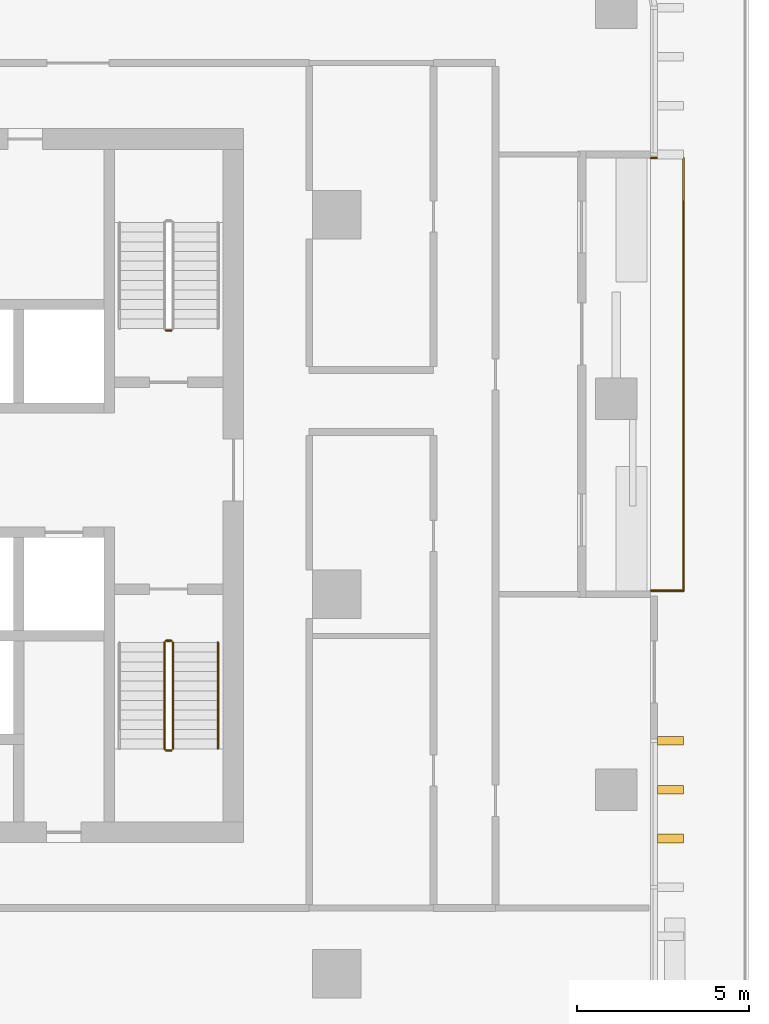
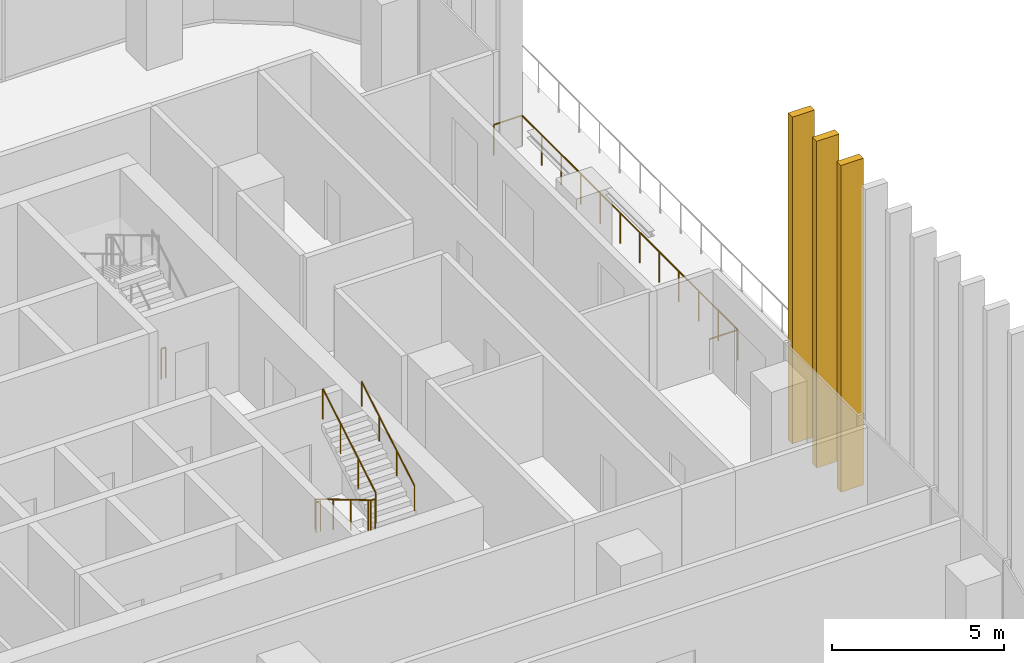
# One storey, part 15 of 16: 6 railings, 3 shading devices.
"""IFC4 building model written with IfcOpenShell, lengths in metres."""

from ifc_helpers import new_model, si_unit, direction, frame, origin, origin_2d, place, context, subcontext, project, spatial, rectangle, circle, extrude, material, type_object, element, save


model = new_model("IFC4")

# Units and contexts
model_context = context("Model", 3, precision=1e-05, world=origin(), true_north=direction((0.0, 1.0)))
body_context = subcontext(model_context, "Body", "Model", "MODEL_VIEW")
ifc_project = project(units=[si_unit("LENGTHUNIT", "METRE"), si_unit("AREAUNIT", "SQUARE_METRE"), si_unit("VOLUMEUNIT", "CUBIC_METRE"), si_unit("PLANEANGLEUNIT", "RADIAN"), si_unit("MASSUNIT", "GRAM", prefix="KILO")], contexts=[model_context])

# Site, building, storey
site_placement = place(None, origin())
site = spatial("IfcSite", under=ifc_project, at=site_placement, CompositionType="ELEMENT")
building_placement = place(site_placement, origin())
building = spatial("IfcBuilding", under=site, at=building_placement, Name="Mopane Tessera Tower", CompositionType="ELEMENT")
storey_placement = place(building_placement, frame((0.0, 0.0, 157.0)))
storey = spatial("IfcBuildingStorey", under=building, at=storey_placement, Name="L31", CompositionType="ELEMENT", Elevation=157.0)

# Shading devices
ifc_material_1 = material(Name="Glazed ceramic tile")
shading_device_type = type_object("IfcShadingDeviceType", Name="Ceramic tile fin 750 x 250 mm", PredefinedType="USERDEFINED", material=ifc_material_1)
for number, where, z_axis, x_axis, name in (
    (1, (26.77490234375, -7.083251953125, 0.0), (0.0, 0.0, 1.0), (0.0, 1.0, 0.0), "e:fin:L31:E:2:1"),
    (2, (26.77490234375, -5.666748046875, 0.0), (0.0, 0.0, 1.0), (0.0, 1.0, 0.0), "e:fin:L31:E:2:2"),
    (3, (26.77490234375, -4.25, 0.0), (0.0, 0.0, 1.0), (0.0, 1.0, 0.0), "e:fin:L31:E:2:3"),
):
    element("IfcShadingDevice", number, at=place(storey_placement, frame(where, z_axis=z_axis, x_axis=x_axis)), inside=storey, type_object=shading_device_type, Name=name, ObjectType="FIN", PredefinedType="USERDEFINED", context=body_context, shape_type="SweptSolid", body=[
        extrude(rectangle(XDim=0.25, YDim=0.75, at=origin_2d()), origin(), (0.0, 0.0, 1.0), 11.60009765625),
    ])

# Railings
ifc_material_2 = material(Name="Powder-coated steel balustrade", Category="steel")
railing_type_1 = type_object("IfcRailingType", Name="Escape stair guard 1100 mm", PredefinedType="GUARDRAIL", material=ifc_material_2)
railing_1_placement = place(storey_placement, frame((12.10009765625, -1.39990234375, 0.166748046875)))
element("IfcRailing", 4, at=railing_1_placement, inside=storey, type_object=railing_type_1, Name="L31 ST3 stair guard 1", PredefinedType="GUARDRAIL", context=body_context, shape_type="SweptSolid", body=[
    extrude(circle(Radius=0.02392578125, at=origin_2d()), frame((0.0, 0.0, 1.076171875), z_axis=(0.0, -0.859308565015, 0.511457515432), x_axis=(1.0, 0.0, 0.0)), (0.0, 0.0, 1.0), 3.58447265625),
    extrude(circle(Radius=0.02392578125, at=origin_2d()), frame((0.0, -3.080078125, 2.9091796875), z_axis=(0.705375805398, -0.708833529934, 0.0), x_axis=(0.708833529934, 0.705375805398, 0.0)), (0.0, 0.0, 1.0), 0.070556640625),
    extrude(circle(Radius=0.02392578125, at=origin_2d()), frame((0.0498046875, -3.130126953125, 2.9091796875), z_axis=(1.0, 0.0, 0.0), x_axis=(0.0, 1.0, 0.0)), (0.0, 0.0, 1.0), 0.150146484375),
    extrude(circle(Radius=0.02099609375, at=origin_2d()), origin(), (0.0, 0.0, 1.0), 1.052001953125),
    extrude(circle(Radius=0.02099609375, at=origin_2d()), frame((0.0, -1.026611328125, 0.611083984375)), (0.0, 0.0, 1.0), 1.052001953125),
    extrude(circle(Radius=0.02099609375, at=origin_2d()), frame((0.0, -2.053466796875, 1.22216796875)), (0.0, 0.0, 1.0), 1.052001953125),
    extrude(circle(Radius=0.02099609375, at=origin_2d()), frame((0.0, -3.080078125, 1.833251953125)), (0.0, 0.0, 1.0), 1.052001953125),
    extrude(circle(Radius=0.02099609375, at=origin_2d()), frame((0.0498046875, -3.130126953125, 1.833251953125)), (0.0, 0.0, 1.0), 1.052001953125),
    extrude(circle(Radius=0.02099609375, at=origin_2d()), frame((0.199951171875, -3.130126953125, 1.833251953125)), (0.0, 0.0, 1.0), 1.052001953125),
])
railing_2_placement = place(storey_placement, frame((12.35009765625, -4.47998046875, 2.166748046875)))
element("IfcRailing", 5, at=railing_2_placement, inside=storey, type_object=railing_type_1, Name="L31 ST3 stair guard 2", PredefinedType="GUARDRAIL", context=body_context, shape_type="SweptSolid", body=[
    extrude(circle(Radius=0.02392578125, at=origin_2d()), frame((0.0, 0.0, 1.076171875), z_axis=(0.0, 0.859308565015, 0.511457515432), x_axis=(-1.0, 0.0, 0.0)), (0.0, 0.0, 1.0), 3.58447265625),
    extrude(circle(Radius=0.02099609375, at=origin_2d()), origin(), (0.0, 0.0, 1.0), 1.052001953125),
    extrude(circle(Radius=0.02099609375, at=origin_2d()), frame((0.0, 1.026611328125, 0.611083984375)), (0.0, 0.0, 1.0), 1.052001953125),
    extrude(circle(Radius=0.02099609375, at=origin_2d()), frame((0.0, 2.053466796875, 1.22216796875)), (0.0, 0.0, 1.0), 1.052001953125),
    extrude(circle(Radius=0.02099609375, at=origin_2d()), frame((0.0, 3.080078125, 1.833251953125)), (0.0, 0.0, 1.0), 1.052001953125),
])
railing_3_placement = place(storey_placement, frame((12.14990234375, -1.35009765625, 0.0)))
element("IfcRailing", 6, at=railing_3_placement, inside=storey, type_object=railing_type_1, Name="L31 ST3 stair guard 3", PredefinedType="GUARDRAIL", context=body_context, shape_type="SweptSolid", body=[
    extrude(circle(Radius=0.02392578125, at=origin_2d()), frame((0.0, 0.0, 1.076171875), z_axis=(1.0, 0.0, 0.0), x_axis=(0.0, 1.0, 0.0)), (0.0, 0.0, 1.0), 0.150146484375),
    extrude(circle(Radius=0.02099609375, at=origin_2d()), origin(), (0.0, 0.0, 1.0), 1.052001953125),
    extrude(circle(Radius=0.02099609375, at=origin_2d()), frame((0.150146484375, 0.0, 0.0)), (0.0, 0.0, 1.0), 1.052001953125),
])
railing_4_placement = place(storey_placement, frame((12.300048828125, 7.64990234375, 0.0)))
element("IfcRailing", 7, at=railing_4_placement, inside=storey, type_object=railing_type_1, Name="L31 ST4 stair guard 3", PredefinedType="GUARDRAIL", context=body_context, shape_type="SweptSolid", body=[
    extrude(circle(Radius=0.02392578125, at=origin_2d()), frame((0.0, 0.0, 1.076171875), z_axis=(-1.0, 0.0, 0.0), x_axis=(0.0, -1.0, 0.0)), (0.0, 0.0, 1.0), 0.150146484375),
    extrude(circle(Radius=0.02099609375, at=origin_2d()), origin(), (0.0, 0.0, 1.0), 1.052001953125),
    extrude(circle(Radius=0.02099609375, at=origin_2d()), frame((-0.150146484375, 0.0, 0.0)), (0.0, 0.0, 1.0), 1.052001953125),
])
ifc_material_3 = material(Name="Powder-coated steel balustrade", Category="steel")
railing_type_2 = type_object("IfcRailingType", Name="Escape stair handrail 900 mm", PredefinedType="HANDRAIL", material=ifc_material_3)
railing_5_placement = place(storey_placement, frame((13.64990234375, -4.47998046875, 2.166748046875)))
element("IfcRailing", 8, at=railing_5_placement, inside=storey, type_object=railing_type_2, Name="L31 ST3 stair handrail 2", PredefinedType="HANDRAIL", context=body_context, shape_type="SweptSolid", body=[
    extrude(circle(Radius=0.02392578125, at=origin_2d()), frame((0.0, 0.0, 0.8759765625), z_axis=(0.0, 0.859308565015, 0.511457515432), x_axis=(-1.0, 0.0, 0.0)), (0.0, 0.0, 1.0), 3.58447265625),
    extrude(circle(Radius=0.02099609375, at=origin_2d()), origin(), (0.0, 0.0, 1.0), 0.851806640625),
    extrude(circle(Radius=0.02099609375, at=origin_2d()), frame((0.0, 1.026611328125, 0.611083984375)), (0.0, 0.0, 1.0), 0.851806640625),
    extrude(circle(Radius=0.02099609375, at=origin_2d()), frame((0.0, 2.053466796875, 1.22216796875)), (0.0, 0.0, 1.0), 0.851806640625),
    extrude(circle(Radius=0.02099609375, at=origin_2d()), frame((0.0, 3.080078125, 1.833251953125)), (0.0, 0.0, 1.0), 0.851806640625),
])
ifc_material_4 = material(Name="Stainless steel S316", Category="steel")
railing_type_3 = type_object("IfcRailingType", Name="Terrace guard 1100", PredefinedType="GUARDRAIL", material=ifc_material_4)
railing_6_placement = place(storey_placement, frame((26.199951171875, 0.10009765625, 0.0)))
element("IfcRailing", 9, at=railing_6_placement, inside=storey, type_object=railing_type_3, Name="e:nw:L31:N3:guard", PredefinedType="GUARDRAIL", context=body_context, shape_type="SweptSolid", body=[
    extrude(circle(Radius=0.02392578125, at=origin_2d()), frame((0.0, 0.0, 1.076171875), z_axis=(1.0, 0.0, 0.0), x_axis=(0.0, 1.0, 0.0)), (0.0, 0.0, 1.0), 0.949951171875),
    extrude(circle(Radius=0.02392578125, at=origin_2d()), frame((0.949951171875, 0.0, 1.076171875), z_axis=(0.0, 1.0, 0.0), x_axis=(-1.0, 0.0, 0.0)), (0.0, 0.0, 1.0), 12.5498046875),
    extrude(circle(Radius=0.02392578125, at=origin_2d()), frame((0.949951171875, 12.5498046875, 1.076171875), z_axis=(-1.0, 0.0, 0.0), x_axis=(0.0, -1.0, 0.0)), (0.0, 0.0, 1.0), 0.949951171875),
    extrude(circle(Radius=0.02099609375, at=origin_2d()), origin(), (0.0, 0.0, 1.0), 1.052001953125),
    extrude(circle(Radius=0.02099609375, at=origin_2d()), frame((0.949951171875, 0.0, 0.0)), (0.0, 0.0, 1.0), 1.052001953125),
    extrude(circle(Radius=0.02099609375, at=origin_2d()), frame((0.949951171875, 1.140869140625, 0.0)), (0.0, 0.0, 1.0), 1.052001953125),
    extrude(circle(Radius=0.02099609375, at=origin_2d()), frame((0.949951171875, 2.28173828125, 0.0)), (0.0, 0.0, 1.0), 1.052001953125),
    extrude(circle(Radius=0.02099609375, at=origin_2d()), frame((0.949951171875, 3.422607421875, 0.0)), (0.0, 0.0, 1.0), 1.052001953125),
    extrude(circle(Radius=0.02099609375, at=origin_2d()), frame((0.949951171875, 4.5634765625, 0.0)), (0.0, 0.0, 1.0), 1.052001953125),
    extrude(circle(Radius=0.02099609375, at=origin_2d()), frame((0.949951171875, 5.704345703125, 0.0)), (0.0, 0.0, 1.0), 1.052001953125),
    extrude(circle(Radius=0.02099609375, at=origin_2d()), frame((0.949951171875, 6.845458984375, 0.0)), (0.0, 0.0, 1.0), 1.052001953125),
    extrude(circle(Radius=0.02099609375, at=origin_2d()), frame((0.949951171875, 7.986328125, 0.0)), (0.0, 0.0, 1.0), 1.052001953125),
    extrude(circle(Radius=0.02099609375, at=origin_2d()), frame((0.949951171875, 9.127197265625, 0.0)), (0.0, 0.0, 1.0), 1.052001953125),
    extrude(circle(Radius=0.02099609375, at=origin_2d()), frame((0.949951171875, 10.26806640625, 0.0)), (0.0, 0.0, 1.0), 1.052001953125),
    extrude(circle(Radius=0.02099609375, at=origin_2d()), frame((0.949951171875, 11.408935546875, 0.0)), (0.0, 0.0, 1.0), 1.052001953125),
    extrude(circle(Radius=0.02099609375, at=origin_2d()), frame((0.949951171875, 12.5498046875, 0.0)), (0.0, 0.0, 1.0), 1.052001953125),
    extrude(circle(Radius=0.02099609375, at=origin_2d()), frame((0.0, 12.5498046875, 0.0)), (0.0, 0.0, 1.0), 1.052001953125),
])

save(model, "model.ifc")
